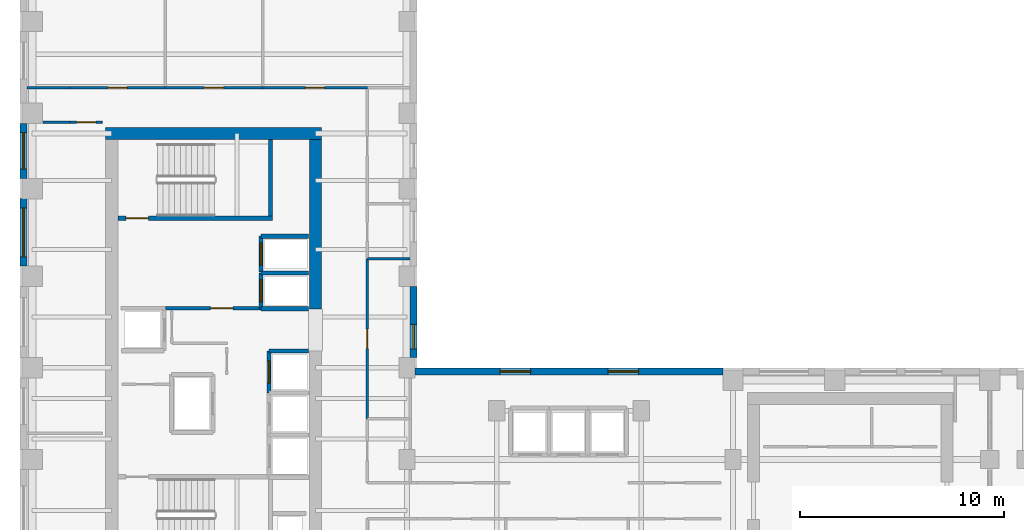
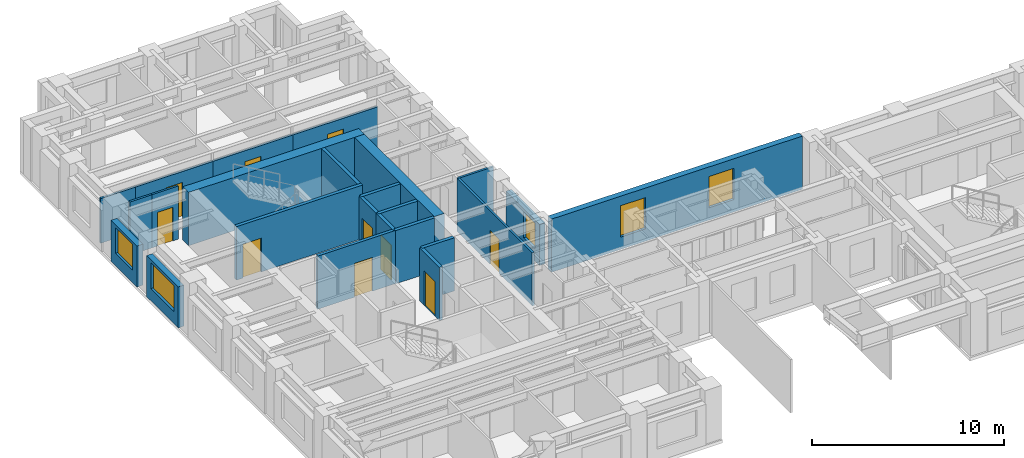
# One storey, part 8 of 13: 24 walls, 10 doors, 5 windows, 15 openings.
"""IFC4 building model written with IfcOpenShell, lengths in metres."""

from ifc_helpers import new_model, si_unit, direction, frame, frame_2d, origin, place, context, subcontext, project, spatial, rectangle, extrude, source, transform, mapped, material, layer, layer_set, type_object, element, fill, save


model = new_model("IFC4")

# Units and contexts
model_context = context("Model", 3, precision=1e-05, world=origin(), true_north=direction((0.0, 1.0)))
body_context = subcontext(model_context, "Body", "Model", "MODEL_VIEW")
ifc_project = project(units=[si_unit("LENGTHUNIT", "METRE"), si_unit("AREAUNIT", "SQUARE_METRE"), si_unit("VOLUMEUNIT", "CUBIC_METRE"), si_unit("PLANEANGLEUNIT", "RADIAN"), si_unit("MASSUNIT", "GRAM", prefix="KILO")], contexts=[model_context])

# Site, building, storey
site_placement = place(None, origin())
site = spatial("IfcSite", under=ifc_project, at=site_placement, CompositionType="ELEMENT")
building_placement = place(site_placement, origin())
building = spatial("IfcBuilding", under=site, at=building_placement, Name="Kharzan Plaza Tower", CompositionType="ELEMENT")
storey_placement = place(building_placement, frame((0.0, 0.0, 175.5)))
storey = spatial("IfcBuildingStorey", under=building, at=storey_placement, Name="L47", CompositionType="ELEMENT", Elevation=175.5)

# Wall, opening, window
ifc_material_1 = material(Name="Concrete C40/50", Category="concrete")
ifc_layer_1 = layer(ifc_material_1, 0.35009765625)
ifc_layer_set_1 = layer_set([ifc_layer_1], Name="Concrete C40/50")
wall_type_1 = type_object("IfcWallType", Name="WL-EXT-MAS-Z3", PredefinedType="SOLIDWALL", material=ifc_layer_set_1)
wall_1_placement = place(storey_placement, frame((0.175048828125, 30.001953125, 0.0), z_axis=(0.0, 0.0, 1.0), x_axis=(0.0, -1.0, 0.0)))
wall_1 = element("IfcWall", 1, at=wall_1_placement, inside=storey, type_object=wall_type_1, Name="L47 Masonry-Frame Exterior Wall 12", PredefinedType="SOLIDWALL", context=body_context, shape_type="SweptSolid", body=[
    extrude(rectangle(XDim=2.703857421875, YDim=0.35009765625, at=frame_2d((1.35205078125, 0.0))), origin(), (0.0, 0.0, 1.0), 2.612060546875),
])
opening_1_placement = place(wall_1_placement, frame((0.451904296875, 0.0, 0.780029296875)))
opening_1 = element("IfcOpeningElement", 2, at=opening_1_placement, cuts=wall_1, Name="Opening W1", PredefinedType="OPENING", context=body_context, shape_type="SweptSolid", body=[
    extrude(rectangle(XDim=1.800048828125, YDim=1.652099609375, at=frame_2d((0.89990234375, 0.826171875))), frame((0.0, 0.18505859375, 0.0), z_axis=(0.0, -1.0, 0.0), x_axis=(1.0, 0.0, 0.0)), (0.0, 0.0, 1.0), 0.3701171875),
])
ifc_material_2 = material(Name="Low-E Double Glazing", Category="glass")
window_type_1 = type_object("IfcWindowType", Name="WN-REC-1800x2100", PartitioningType="SINGLE_PANEL", PredefinedType="WINDOW", material=ifc_material_2)
shared_shape_1 = source(origin(), body_context, "Body", "SweptSolid", [
    extrude(rectangle(XDim=1.800048828125, YDim=1.652099609375, at=frame_2d((0.89990234375, 0.826171875))), frame((0.0, 0.030029296875, 0.0), z_axis=(0.0, -1.0, 0.0), x_axis=(1.0, 0.0, 0.0)), (0.0, 0.0, 1.0), 0.06005859375),
])
window_1_placement = place(opening_1_placement, origin())
window_1 = element("IfcWindow", 3, at=window_1_placement, inside=storey, type_object=window_type_1, Name="L47 Recessed Solar-Control Window 12-1", OverallHeight=1.652099609375, OverallWidth=1.800048828125, PartitioningType="SINGLE_PANEL", PredefinedType="WINDOW", context=body_context, shape_type="MappedRepresentation", body=[
    mapped(shared_shape_1, transform((0.0, 0.0, 0.0), x_axis=(1.0, 0.0, 0.0), y_axis=(0.0, 1.0, 0.0), z_axis=(0.0, 0.0, 1.0))),
])
fill(opening_1, window_1)

wall_2_placement = place(storey_placement, frame((0.175048828125, 26.302001953125, 0.0), z_axis=(0.0, 0.0, 1.0), x_axis=(0.0, -1.0, 0.0)))
wall_2 = element("IfcWall", 4, at=wall_2_placement, inside=storey, type_object=wall_type_1, Name="L47 Masonry-Frame Exterior Wall 13", PredefinedType="SOLIDWALL", context=body_context, shape_type="SweptSolid", body=[
    extrude(rectangle(XDim=3.303955078125, YDim=0.35009765625, at=frame_2d((1.65185546875, 0.0))), origin(), (0.0, 0.0, 1.0), 2.612060546875),
])
opening_2_placement = place(wall_2_placement, frame((0.451904296875, 0.0, 0.780029296875)))
opening_2 = element("IfcOpeningElement", 5, at=opening_2_placement, cuts=wall_2, Name="Opening W2", PredefinedType="OPENING", context=body_context, shape_type="SweptSolid", body=[
    extrude(rectangle(XDim=2.39990234375, YDim=1.652099609375, at=frame_2d((1.199951171875, 0.826171875))), frame((0.0, 0.18505859375, 0.0), z_axis=(0.0, -1.0, 0.0), x_axis=(1.0, 0.0, 0.0)), (0.0, 0.0, 1.0), 0.3701171875),
])
window_type_2 = type_object("IfcWindowType", Name="WN-REC-2400x2100", PartitioningType="SINGLE_PANEL", PredefinedType="WINDOW", material=ifc_material_2)
shared_shape_2 = source(origin(), body_context, "Body", "SweptSolid", [
    extrude(rectangle(XDim=2.39990234375, YDim=1.652099609375, at=frame_2d((1.199951171875, 0.826171875))), frame((0.0, 0.030029296875, 0.0), z_axis=(0.0, -1.0, 0.0), x_axis=(1.0, 0.0, 0.0)), (0.0, 0.0, 1.0), 0.06005859375),
])
window_2_placement = place(opening_2_placement, origin())
window_2 = element("IfcWindow", 6, at=window_2_placement, inside=storey, type_object=window_type_2, Name="L47 Wide Recessed Solar-Control Window 13-1", OverallHeight=1.652099609375, OverallWidth=2.39990234375, PartitioningType="SINGLE_PANEL", PredefinedType="WINDOW", context=body_context, shape_type="MappedRepresentation", body=[
    mapped(shared_shape_2, transform((0.0, 0.0, 0.0), x_axis=(1.0, 0.0, 0.0), y_axis=(0.0, 1.0, 0.0), z_axis=(0.0, 0.0, 1.0))),
])
fill(opening_2, window_2)

# Wall, openings, windows
wall_3_placement = place(storey_placement, frame((34.501953125, 17.824951171875, 0.0), z_axis=(0.0, 0.0, 1.0), x_axis=(-1.0, 0.0, 0.0)))
wall_3 = element("IfcWall", 7, at=wall_3_placement, inside=storey, type_object=wall_type_1, Name="L47 Masonry-Frame Exterior Wall 47", PredefinedType="SOLIDWALL", context=body_context, shape_type="SweptSolid", body=[
    extrude(rectangle(XDim=15.10400390625, YDim=0.35009765625, at=frame_2d((7.552001953125, 0.0))), origin(), (0.0, 0.0, 1.0), 3.385009765625),
])
opening_3_placement = place(wall_3_placement, frame((4.131103515625, 0.0, 0.780029296875)))
opening_3 = element("IfcOpeningElement", 8, at=opening_3_placement, cuts=wall_3, Name="Opening W5", PredefinedType="OPENING", context=body_context, shape_type="SweptSolid", body=[
    extrude(rectangle(XDim=1.5, YDim=2.0, at=frame_2d((0.75, 1.0))), frame((0.0, 0.18505859375, 0.0), z_axis=(0.0, -1.0, 0.0), x_axis=(1.0, 0.0, 0.0)), (0.0, 0.0, 1.0), 0.3701171875),
])
opening_4_placement = place(wall_3_placement, frame((9.4423828125, 0.0, 0.780029296875)))
opening_4 = element("IfcOpeningElement", 9, at=opening_4_placement, cuts=wall_3, Name="Opening W5", PredefinedType="OPENING", context=body_context, shape_type="SweptSolid", body=[
    extrude(rectangle(XDim=1.5, YDim=2.0, at=frame_2d((0.75, 1.0))), frame((0.0, 0.18505859375, 0.0), z_axis=(0.0, -1.0, 0.0), x_axis=(1.0, 0.0, 0.0)), (0.0, 0.0, 1.0), 0.3701171875),
])
window_type_3 = type_object("IfcWindowType", Name="WN-SLT-1500x2000", PartitioningType="SINGLE_PANEL", PredefinedType="WINDOW", material=ifc_material_2)
shared_shape_3 = source(origin(), body_context, "Body", "SweptSolid", [
    extrude(rectangle(XDim=1.5, YDim=2.0, at=frame_2d((0.75, 1.0))), frame((0.0, 0.030029296875, 0.0), z_axis=(0.0, -1.0, 0.0), x_axis=(1.0, 0.0, 0.0)), (0.0, 0.0, 1.0), 0.06005859375),
])
window_3_placement = place(opening_3_placement, origin())
window_3 = element("IfcWindow", 10, at=window_3_placement, inside=storey, type_object=window_type_3, Name="L47 Recessed Solar-Control Window 47-1", OverallHeight=2.0, OverallWidth=1.5, PartitioningType="SINGLE_PANEL", PredefinedType="WINDOW", context=body_context, shape_type="MappedRepresentation", body=[
    mapped(shared_shape_3, transform((0.0, 0.0, 0.0), x_axis=(1.0, 0.0, 0.0), y_axis=(0.0, 1.0, 0.0), z_axis=(0.0, 0.0, 1.0))),
])
fill(opening_3, window_3)
window_4_placement = place(opening_4_placement, origin())
window_4 = element("IfcWindow", 11, at=window_4_placement, inside=storey, type_object=window_type_3, Name="L47 Recessed Solar-Control Window 47-2", OverallHeight=2.0, OverallWidth=1.5, PartitioningType="SINGLE_PANEL", PredefinedType="WINDOW", context=body_context, shape_type="MappedRepresentation", body=[
    mapped(shared_shape_3, transform((0.0, 0.0, 0.0), x_axis=(1.0, 0.0, 0.0), y_axis=(0.0, 1.0, 0.0), z_axis=(0.0, 0.0, 1.0))),
])
fill(opening_4, window_4)

# Wall, opening, window
wall_4_placement = place(storey_placement, frame((19.324951171875, 18.498046875, 0.0), z_axis=(0.0, 0.0, 1.0), x_axis=(0.0, 1.0, 0.0)))
wall_4 = element("IfcWall", 12, at=wall_4_placement, inside=storey, type_object=wall_type_1, Name="L47 Masonry-Frame Exterior Wall 48", PredefinedType="SOLIDWALL", context=body_context, shape_type="SweptSolid", body=[
    extrude(rectangle(XDim=3.50390625, YDim=0.35009765625, at=frame_2d((1.751953125, 0.0))), origin(), (0.0, 0.0, 1.0), 2.612060546875),
])
opening_5_placement = place(wall_4_placement, frame((0.4326171875, 0.0, 0.780029296875)))
opening_5 = element("IfcOpeningElement", 13, at=opening_5_placement, cuts=wall_4, Name="Opening W3", PredefinedType="OPENING", context=body_context, shape_type="SweptSolid", body=[
    extrude(rectangle(XDim=1.199951171875, YDim=1.652099609375, at=frame_2d((0.60009765625, 0.826171875))), frame((0.0, 0.18505859375, 0.0), z_axis=(0.0, -1.0, 0.0), x_axis=(1.0, 0.0, 0.0)), (0.0, 0.0, 1.0), 0.3701171875),
])
window_type_4 = type_object("IfcWindowType", Name="WN-REC-1200x2100", PartitioningType="SINGLE_PANEL", PredefinedType="WINDOW", material=ifc_material_2)
shared_shape_4 = source(origin(), body_context, "Body", "SweptSolid", [
    extrude(rectangle(XDim=1.199951171875, YDim=1.652099609375, at=frame_2d((0.60009765625, 0.826171875))), frame((0.0, 0.030029296875, 0.0), z_axis=(0.0, -1.0, 0.0), x_axis=(1.0, 0.0, 0.0)), (0.0, 0.0, 1.0), 0.06005859375),
])
window_5_placement = place(opening_5_placement, origin())
window_5 = element("IfcWindow", 14, at=window_5_placement, inside=storey, type_object=window_type_4, Name="L47 Recessed Solar-Control Window 48-1", OverallHeight=1.652099609375, OverallWidth=1.199951171875, PartitioningType="SINGLE_PANEL", PredefinedType="WINDOW", context=body_context, shape_type="MappedRepresentation", body=[
    mapped(shared_shape_4, transform((0.0, 0.0, 0.0), x_axis=(1.0, 0.0, 0.0), y_axis=(0.0, 1.0, 0.0), z_axis=(0.0, 0.0, 1.0))),
])
fill(opening_5, window_5)

# Wall, opening, door
ifc_layer_2 = layer(ifc_material_1, 0.179931640625)
ifc_layer_set_2 = layer_set([ifc_layer_2], Name="Concrete C40/50")
wall_type_2 = type_object("IfcWallType", Name="WL-INT-FIRE-180", PredefinedType="PARTITIONING", material=ifc_layer_set_2)
wall_5_placement = place(storey_placement, frame((7.14990234375, 20.919921875, 0.0), z_axis=(0.0, 0.0, 1.0), x_axis=(1.0, 0.0, 0.0)))
wall_5 = element("IfcWall", 15, at=wall_5_placement, inside=storey, type_object=wall_type_2, Name="L47 Interior Partition CA-FF-S", PredefinedType="PARTITIONING", context=body_context, shape_type="SweptSolid", body=[
    extrude(rectangle(XDim=4.68017578125, YDim=0.179931640625, at=frame_2d((2.340087890625, 0.0))), origin(), (0.0, 0.0, 1.0), 3.385009765625),
])
opening_6_placement = place(wall_5_placement, frame((2.199951171875, 0.0, 0.0)))
opening_6 = element("IfcOpeningElement", 16, at=opening_6_placement, cuts=wall_5, Name="Opening FD1", PredefinedType="OPENING", context=body_context, shape_type="SweptSolid", body=[
    extrude(rectangle(XDim=1.10009765625, YDim=2.14990234375, at=frame_2d((0.550048828125, 1.074951171875))), frame((0.0, 0.099853515625, 0.0), z_axis=(0.0, -1.0, 0.0), x_axis=(1.0, 0.0, 0.0)), (0.0, 0.0, 1.0), 0.199951171875),
])
ifc_material_3 = material(Name="Fire-Rated Acoustic Vision-Panel Steel", Category="steel")
door_type_1 = type_object("IfcDoorType", Name="DR-FIRE-LOBBY", OperationType="NOTDEFINED", PredefinedType="DOOR", material=ifc_material_3)
shared_shape_5 = source(origin(), body_context, "Body", "SweptSolid", [
    extrude(rectangle(XDim=1.10009765625, YDim=2.14990234375, at=frame_2d((0.550048828125, 1.074951171875))), frame((0.0, 0.02490234375, 0.0), z_axis=(0.0, -1.0, 0.0), x_axis=(1.0, 0.0, 0.0)), (0.0, 0.0, 1.0), 0.050048828125),
])
door_1_placement = place(opening_6_placement, origin())
door_1 = element("IfcDoor", 17, at=door_1_placement, inside=storey, type_object=door_type_1, Name="L47 Firefighting Lobby Door", OperationType="SINGLE_SWING_RIGHT", OverallHeight=2.14990234375, OverallWidth=1.10009765625, PredefinedType="DOOR", context=body_context, shape_type="MappedRepresentation", body=[
    mapped(shared_shape_5, transform((0.0, 0.0, 0.0), x_axis=(1.0, 0.0, 0.0), y_axis=(0.0, 1.0, 0.0), z_axis=(0.0, 0.0, 1.0))),
])
fill(opening_6, door_1)

ifc_material_4 = material(Name="Fire-Rated Gypsum Board Partition", Category="gypsum")
ifc_layer_3 = layer(ifc_material_4, 0.125)
ifc_layer_set_3 = layer_set([ifc_layer_3], Name="Fire-Rated Gypsum Board Partition")
wall_type_3 = type_object("IfcWallType", Name="WL-INT-PART-125", PredefinedType="PARTITIONING", material=ifc_layer_set_3)
wall_6_placement = place(storey_placement, frame((17.050048828125, 15.5, 0.0), z_axis=(0.0, 0.0, 1.0), x_axis=(0.0, 1.0, 0.0)))
wall_6 = element("IfcWall", 18, at=wall_6_placement, inside=storey, type_object=wall_type_3, Name="L47 Interior Partition SH-AEWN2", PredefinedType="PARTITIONING", context=body_context, shape_type="SweptSolid", body=[
    extrude(rectangle(XDim=7.85009765625, YDim=0.125, at=frame_2d((3.925048828125, 0.0))), origin(), (0.0, 0.0, 1.0), 3.385009765625),
])
opening_7_placement = place(wall_6_placement, frame((3.449951171875, 0.0, 0.0)))
opening_7 = element("IfcOpeningElement", 19, at=opening_7_placement, cuts=wall_6, Name="Opening OD1", PredefinedType="OPENING", context=body_context, shape_type="SweptSolid", body=[
    extrude(rectangle(XDim=0.949951171875, YDim=2.14990234375, at=frame_2d((0.47509765625, 1.074951171875))), frame((0.0, 0.072509765625, 0.0), z_axis=(0.0, -1.0, 0.0), x_axis=(1.0, 0.0, 0.0)), (0.0, 0.0, 1.0), 0.14501953125),
])
ifc_material_5 = material(Name="Acoustic Solid-Core Stained Oak", Category="timber")
door_type_2 = type_object("IfcDoorType", Name="DR-OFF-SINGLE", OperationType="NOTDEFINED", PredefinedType="DOOR", material=ifc_material_5)
shared_shape_6 = source(origin(), body_context, "Body", "SweptSolid", [
    extrude(rectangle(XDim=0.949951171875, YDim=2.14990234375, at=frame_2d((0.47509765625, 1.074951171875))), frame((0.0, 0.02490234375, 0.0), z_axis=(0.0, -1.0, 0.0), x_axis=(1.0, 0.0, 0.0)), (0.0, 0.0, 1.0), 0.050048828125),
])
door_2_placement = place(opening_7_placement, origin())
door_2 = element("IfcDoor", 20, at=door_2_placement, inside=storey, type_object=door_type_2, Name="L47 Slot Studio Door", OperationType="SINGLE_SWING_RIGHT", OverallHeight=2.14990234375, OverallWidth=0.949951171875, PredefinedType="DOOR", context=body_context, shape_type="MappedRepresentation", body=[
    mapped(shared_shape_6, transform((0.0, 0.0, 0.0), x_axis=(1.0, 0.0, 0.0), y_axis=(0.0, 1.0, 0.0), z_axis=(0.0, 0.0, 1.0))),
])
fill(opening_7, door_2)

wall_7_placement = place(storey_placement, frame((2.449951171875, 31.75, 0.0), z_axis=(0.0, 0.0, 1.0), x_axis=(1.0, 0.0, 0.0)))
wall_7 = element("IfcWall", 21, at=wall_7_placement, inside=storey, type_object=wall_type_3, Name="L47 Interior Partition SH-NN-1", PredefinedType="PARTITIONING", context=body_context, shape_type="SweptSolid", body=[
    extrude(rectangle(XDim=4.671142578125, YDim=0.125, at=frame_2d((2.33544921875, 0.0))), origin(), (0.0, 0.0, 1.0), 2.847900390625),
])
opening_8_placement = place(wall_7_placement, frame((1.860595703125, 0.0, 0.0)))
opening_8 = element("IfcOpeningElement", 22, at=opening_8_placement, cuts=wall_7, Name="Opening OD1", PredefinedType="OPENING", context=body_context, shape_type="SweptSolid", body=[
    extrude(rectangle(XDim=0.949951171875, YDim=2.14990234375, at=frame_2d((0.47509765625, 1.074951171875))), frame((0.0, 0.072509765625, 0.0), z_axis=(0.0, -1.0, 0.0), x_axis=(1.0, 0.0, 0.0)), (0.0, 0.0, 1.0), 0.14501953125),
])
door_3_placement = place(opening_8_placement, origin())
door_3 = element("IfcDoor", 23, at=door_3_placement, inside=storey, type_object=door_type_2, Name="L47 Naval Engineering Studio Door", OperationType="SINGLE_SWING_LEFT", OverallHeight=2.14990234375, OverallWidth=0.949951171875, PredefinedType="DOOR", context=body_context, shape_type="MappedRepresentation", body=[
    mapped(shared_shape_6, transform((0.0, 0.0, 0.0), x_axis=(1.0, 0.0, 0.0), y_axis=(0.0, 1.0, 0.0), z_axis=(0.0, 0.0, 1.0))),
])
fill(opening_8, door_3)

wall_8_placement = place(storey_placement, frame((7.12109375, 31.75, 0.0), z_axis=(0.0, 0.0, 1.0), x_axis=(1.0, 0.0, 0.0)))
wall_8 = element("IfcWall", 24, at=wall_8_placement, inside=storey, type_object=wall_type_3, Name="L47 Interior Partition SH-NN-2", PredefinedType="PARTITIONING", context=body_context, shape_type="SweptSolid", body=[
    extrude(rectangle(XDim=4.794921875, YDim=0.125, at=frame_2d((2.3974609375, 0.0))), origin(), (0.0, 0.0, 1.0), 2.847900390625),
])
opening_9_placement = place(wall_8_placement, frame((1.922607421875, 0.0, 0.0)))
opening_9 = element("IfcOpeningElement", 25, at=opening_9_placement, cuts=wall_8, Name="Opening OD1", PredefinedType="OPENING", context=body_context, shape_type="SweptSolid", body=[
    extrude(rectangle(XDim=0.949951171875, YDim=2.14990234375, at=frame_2d((0.47509765625, 1.074951171875))), frame((0.0, 0.072509765625, 0.0), z_axis=(0.0, -1.0, 0.0), x_axis=(1.0, 0.0, 0.0)), (0.0, 0.0, 1.0), 0.14501953125),
])
door_4_placement = place(opening_9_placement, origin())
door_4 = element("IfcDoor", 26, at=door_4_placement, inside=storey, type_object=door_type_2, Name="L47 Cartography Drafting Studio Door", OperationType="SINGLE_SWING_RIGHT", OverallHeight=2.14990234375, OverallWidth=0.949951171875, PredefinedType="DOOR", context=body_context, shape_type="MappedRepresentation", body=[
    mapped(shared_shape_6, transform((0.0, 0.0, 0.0), x_axis=(1.0, 0.0, 0.0), y_axis=(0.0, 1.0, 0.0), z_axis=(0.0, 0.0, 1.0))),
])
fill(opening_9, door_4)

wall_9_placement = place(storey_placement, frame((11.916015625, 31.75, 0.0), z_axis=(0.0, 0.0, 1.0), x_axis=(1.0, 0.0, 0.0)))
wall_9 = element("IfcWall", 27, at=wall_9_placement, inside=storey, type_object=wall_type_3, Name="L47 Interior Partition SH-NN-3", PredefinedType="PARTITIONING", context=body_context, shape_type="SweptSolid", body=[
    extrude(rectangle(XDim=5.134033203125, YDim=0.125, at=frame_2d((2.56689453125, 0.0))), origin(), (0.0, 0.0, 1.0), 2.847900390625),
])
opening_10_placement = place(wall_9_placement, frame((2.092041015625, 0.0, 0.0)))
opening_10 = element("IfcOpeningElement", 28, at=opening_10_placement, cuts=wall_9, Name="Opening OD1", PredefinedType="OPENING", context=body_context, shape_type="SweptSolid", body=[
    extrude(rectangle(XDim=0.949951171875, YDim=2.14990234375, at=frame_2d((0.47509765625, 1.074951171875))), frame((0.0, 0.072509765625, 0.0), z_axis=(0.0, -1.0, 0.0), x_axis=(1.0, 0.0, 0.0)), (0.0, 0.0, 1.0), 0.14501953125),
])
door_5_placement = place(opening_10_placement, origin())
door_5 = element("IfcDoor", 29, at=door_5_placement, inside=storey, type_object=door_type_2, Name="L47 Project Controls Office Door", OperationType="SINGLE_SWING_LEFT", OverallHeight=2.14990234375, OverallWidth=0.949951171875, PredefinedType="DOOR", context=body_context, shape_type="MappedRepresentation", body=[
    mapped(shared_shape_6, transform((0.0, 0.0, 0.0), x_axis=(1.0, 0.0, 0.0), y_axis=(0.0, 1.0, 0.0), z_axis=(0.0, 0.0, 1.0))),
])
fill(opening_10, door_5)

wall_10_placement = place(storey_placement, frame((2.449951171875, 30.050048828125, 0.0), z_axis=(0.0, 0.0, 1.0), x_axis=(1.0, 0.0, 0.0)))
wall_10 = element("IfcWall", 30, at=wall_10_placement, inside=storey, type_object=wall_type_3, Name="L47 Interior Partition SH-RWND", PredefinedType="PARTITIONING", context=body_context, shape_type="SweptSolid", body=[
    extrude(rectangle(XDim=1.60009765625, YDim=0.125, at=frame_2d((0.800048828125, 0.0))), origin(), (0.0, 0.0, 1.0), 3.385009765625),
])
opening_11_placement = place(wall_10_placement, frame((0.324951171875, 0.0, 0.0)))
opening_11 = element("IfcOpeningElement", 31, at=opening_11_placement, cuts=wall_10, Name="Opening OD1", PredefinedType="OPENING", context=body_context, shape_type="SweptSolid", body=[
    extrude(rectangle(XDim=0.949951171875, YDim=2.14990234375, at=frame_2d((0.47509765625, 1.074951171875))), frame((0.0, 0.072509765625, 0.0), z_axis=(0.0, -1.0, 0.0), x_axis=(1.0, 0.0, 0.0)), (0.0, 0.0, 1.0), 0.14501953125),
])
door_6_placement = place(opening_11_placement, origin())
door_6 = element("IfcDoor", 32, at=door_6_placement, inside=storey, type_object=door_type_2, Name="L47 West Office 2 Door", OperationType="SINGLE_SWING_RIGHT", OverallHeight=2.14990234375, OverallWidth=0.949951171875, PredefinedType="DOOR", context=body_context, shape_type="MappedRepresentation", body=[
    mapped(shared_shape_6, transform((0.0, 0.0, 0.0), x_axis=(1.0, 0.0, 0.0), y_axis=(0.0, 1.0, 0.0), z_axis=(0.0, 0.0, 1.0))),
])
fill(opening_11, door_6)

ifc_layer_4 = layer(ifc_material_1, 0.199951171875)
ifc_layer_set_4 = layer_set([ifc_layer_4], Name="Concrete C40/50")
wall_type_4 = type_object("IfcWallType", Name="WL-INT-SHAFT-200", PredefinedType="PARTITIONING", material=ifc_layer_set_4)
wall_11_placement = place(storey_placement, frame((11.830078125, 20.89990234375, 0.0), z_axis=(0.0, 0.0, 1.0), x_axis=(0.0, 1.0, 0.0)))
wall_11 = element("IfcWall", 33, at=wall_11_placement, inside=storey, type_object=wall_type_4, Name="L47 Interior Partition SHF-FFL-1-W", PredefinedType="PARTITIONING", context=body_context, shape_type="SweptSolid", body=[
    extrude(rectangle(XDim=1.760009765625, YDim=0.199951171875, at=frame_2d((0.8798828125, 0.0))), origin(), (0.0, 0.0, 1.0), 3.385009765625),
])
opening_12_placement = place(wall_11_placement, frame((0.330078125, 0.0, 0.0)))
opening_12 = element("IfcOpeningElement", 34, at=opening_12_placement, cuts=wall_11, Name="Opening LD", PredefinedType="OPENING", context=body_context, shape_type="SweptSolid", body=[
    extrude(rectangle(XDim=1.10009765625, YDim=2.199951171875, at=frame_2d((0.550048828125, 1.10009765625))), frame((0.0, 0.10986328125, 0.0), z_axis=(0.0, -1.0, 0.0), x_axis=(1.0, 0.0, 0.0)), (0.0, 0.0, 1.0), 0.219970703125),
])
ifc_material_6 = material(Name="Brushed Stainless Steel", Category="steel")
door_type_3 = type_object("IfcDoorType", Name="DR-LIFT-SLIDE", OperationType="SLIDING_TO_LEFT", PredefinedType="DOOR", material=ifc_material_6)
shared_shape_7 = source(origin(), body_context, "Body", "SweptSolid", [
    extrude(rectangle(XDim=1.10009765625, YDim=2.199951171875, at=frame_2d((0.550048828125, 1.10009765625))), frame((0.0, 0.02490234375, 0.0), z_axis=(0.0, -1.0, 0.0), x_axis=(1.0, 0.0, 0.0)), (0.0, 0.0, 1.0), 0.050048828125),
])
door_7_placement = place(opening_12_placement, origin())
door_7 = element("IfcDoor", 35, at=door_7_placement, inside=storey, type_object=door_type_3, Name="L47 Firefighting Lift FFL-1 Sliding Landing Door", OperationType="SLIDING_TO_LEFT", OverallHeight=2.199951171875, OverallWidth=1.10009765625, PredefinedType="DOOR", context=body_context, shape_type="MappedRepresentation", body=[
    mapped(shared_shape_7, transform((0.0, 0.0, 0.0), x_axis=(1.0, 0.0, 0.0), y_axis=(0.0, 1.0, 0.0), z_axis=(0.0, 0.0, 1.0))),
])
fill(opening_12, door_7)

wall_12_placement = place(storey_placement, frame((11.830078125, 22.699951171875, 0.0), z_axis=(0.0, 0.0, 1.0), x_axis=(0.0, 1.0, 0.0)))
wall_12 = element("IfcWall", 36, at=wall_12_placement, inside=storey, type_object=wall_type_4, Name="L47 Interior Partition SHF-FFL-2-W", PredefinedType="PARTITIONING", context=body_context, shape_type="SweptSolid", body=[
    extrude(rectangle(XDim=1.760009765625, YDim=0.199951171875, at=frame_2d((0.8798828125, 0.0))), origin(), (0.0, 0.0, 1.0), 3.385009765625),
])
opening_13_placement = place(wall_12_placement, frame((0.330078125, 0.0, 0.0)))
opening_13 = element("IfcOpeningElement", 37, at=opening_13_placement, cuts=wall_12, Name="Opening LD", PredefinedType="OPENING", context=body_context, shape_type="SweptSolid", body=[
    extrude(rectangle(XDim=1.10009765625, YDim=2.199951171875, at=frame_2d((0.550048828125, 1.10009765625))), frame((0.0, 0.10986328125, 0.0), z_axis=(0.0, -1.0, 0.0), x_axis=(1.0, 0.0, 0.0)), (0.0, 0.0, 1.0), 0.219970703125),
])
door_8_placement = place(opening_13_placement, origin())
door_8 = element("IfcDoor", 38, at=door_8_placement, inside=storey, type_object=door_type_3, Name="L47 Firefighting Lift FFL-2 Sliding Landing Door", OperationType="SLIDING_TO_LEFT", OverallHeight=2.199951171875, OverallWidth=1.10009765625, PredefinedType="DOOR", context=body_context, shape_type="MappedRepresentation", body=[
    mapped(shared_shape_7, transform((0.0, 0.0, 0.0), x_axis=(1.0, 0.0, 0.0), y_axis=(0.0, 1.0, 0.0), z_axis=(0.0, 0.0, 1.0))),
])
fill(opening_13, door_8)

wall_13_placement = place(storey_placement, frame((12.22998046875, 16.77001953125, 0.0), z_axis=(0.0, 0.0, 1.0), x_axis=(0.0, 1.0, 0.0)))
wall_13 = element("IfcWall", 39, at=wall_13_placement, inside=storey, type_object=wall_type_4, Name="L47 Interior Partition SHF-PL-H3-W", PredefinedType="PARTITIONING", context=body_context, shape_type="SweptSolid", body=[
    extrude(rectangle(XDim=2.050048828125, YDim=0.199951171875, at=frame_2d((1.02490234375, 0.0))), origin(), (0.0, 0.0, 1.0), 3.385009765625),
])
opening_14_placement = place(wall_13_placement, frame((0.47509765625, 0.0, 0.0)))
opening_14 = element("IfcOpeningElement", 40, at=opening_14_placement, cuts=wall_13, Name="Opening LD", PredefinedType="OPENING", context=body_context, shape_type="SweptSolid", body=[
    extrude(rectangle(XDim=1.10009765625, YDim=2.199951171875, at=frame_2d((0.550048828125, 1.10009765625))), frame((0.0, 0.10986328125, 0.0), z_axis=(0.0, -1.0, 0.0), x_axis=(1.0, 0.0, 0.0)), (0.0, 0.0, 1.0), 0.219970703125),
])
door_9_placement = place(opening_14_placement, origin())
door_9 = element("IfcDoor", 41, at=door_9_placement, inside=storey, type_object=door_type_3, Name="L47 High-Rise Passenger Lift PL-H3 Sliding Landing Door", OperationType="SLIDING_TO_LEFT", OverallHeight=2.199951171875, OverallWidth=1.10009765625, PredefinedType="DOOR", context=body_context, shape_type="MappedRepresentation", body=[
    mapped(shared_shape_7, transform((0.0, 0.0, 0.0), x_axis=(1.0, 0.0, 0.0), y_axis=(0.0, 1.0, 0.0), z_axis=(0.0, 0.0, 1.0))),
])
fill(opening_14, door_9)

ifc_material_7 = material(Name="Concrete C50/60", Category="concrete")
ifc_layer_5 = layer(ifc_material_7, 0.199951171875)
ifc_layer_set_5 = layer_set([ifc_layer_5], Name="Concrete C50/60")
wall_type_5 = type_object("IfcWallType", Name="WL-SHAFT-RC200", PredefinedType="SHEAR", material=ifc_layer_set_5)
wall_14_placement = place(storey_placement, frame((4.802001953125, 25.344970703125, 0.0), z_axis=(0.0, 0.0, 1.0), x_axis=(1.0, 0.0, 0.0)))
wall_14 = element("IfcWall", 42, at=wall_14_placement, inside=storey, type_object=wall_type_5, Name="L47 Stair ST-2 South RC Shaft Wall", PredefinedType="SHEAR", context=body_context, shape_type="SweptSolid", body=[
    extrude(rectangle(XDim=7.60302734375, YDim=0.199951171875, at=frame_2d((3.801513671875, 0.0))), origin(), (0.0, 0.0, 1.0), 3.39990234375),
])
opening_15_placement = place(wall_14_placement, frame((0.39990234375, 0.0, 0.0)))
opening_15 = element("IfcOpeningElement", 43, at=opening_15_placement, cuts=wall_14, Name="Opening SD1", PredefinedType="OPENING", context=body_context, shape_type="SweptSolid", body=[
    extrude(rectangle(XDim=1.10009765625, YDim=2.14990234375, at=frame_2d((0.550048828125, 1.074951171875))), frame((0.0, 0.10986328125, 0.0), z_axis=(0.0, -1.0, 0.0), x_axis=(1.0, 0.0, 0.0)), (0.0, 0.0, 1.0), 0.219970703125),
])
ifc_material_8 = material(Name="Fire-Rated Hollow Galvanized Steel", Category="steel")
door_type_4 = type_object("IfcDoorType", Name="DR-STAIR-FD120", OperationType="NOTDEFINED", PredefinedType="DOOR", material=ifc_material_8)
shared_shape_8 = source(origin(), body_context, "Body", "SweptSolid", [
    extrude(rectangle(XDim=1.10009765625, YDim=2.14990234375, at=frame_2d((0.550048828125, 1.074951171875))), frame((0.0, 0.02490234375, 0.0), z_axis=(0.0, -1.0, 0.0), x_axis=(1.0, 0.0, 0.0)), (0.0, 0.0, 1.0), 0.050048828125),
])
door_10_placement = place(opening_15_placement, origin())
door_10 = element("IfcDoor", 44, at=door_10_placement, inside=storey, type_object=door_type_4, Name="L47 Stair ST-2 Fire Exit Door", OperationType="SINGLE_SWING_LEFT", OverallHeight=2.14990234375, OverallWidth=1.10009765625, PredefinedType="DOOR", context=body_context, shape_type="MappedRepresentation", body=[
    mapped(shared_shape_8, transform((0.0, 0.0, 0.0), x_axis=(1.0, 0.0, 0.0), y_axis=(0.0, 1.0, 0.0), z_axis=(0.0, 0.0, 1.0))),
])
fill(opening_15, door_10)

# Walls
ifc_layer_6 = layer(ifc_material_7, 0.60009765625)
ifc_layer_set_6 = layer_set([ifc_layer_6], Name="Concrete C50/60")
wall_type_6 = type_object("IfcWallType", Name="WL-CORE-600", PredefinedType="SHEAR", material=ifc_layer_set_6)
shared_shape_9 = source(origin(), body_context, "Body", "SweptSolid", [
    extrude(rectangle(XDim=8.320068359375, YDim=0.60009765625, at=frame_2d((4.16015625, 0.0))), origin(), (0.0, 0.0, 1.0), 3.39990234375),
])
wall_15_placement = place(storey_placement, frame((14.5, 20.8798828125, 0.0), z_axis=(0.0, 0.0, 1.0), x_axis=(0.0, 1.0, 0.0)))
element("IfcWall", 45, at=wall_15_placement, inside=storey, type_object=wall_type_6, Name="L47 CORE-A east shear pier 2", PredefinedType="SHEAR", context=body_context, shape_type="MappedRepresentation", body=[
    mapped(shared_shape_9, transform((0.0, 0.0, 0.0), x_axis=(1.0, 0.0, 0.0), y_axis=(0.0, 1.0, 0.0), z_axis=(0.0, 0.0, 1.0))),
])
shared_shape_10 = source(origin(), body_context, "Body", "SweptSolid", [
    extrude(rectangle(XDim=10.60009765625, YDim=0.60009765625, at=frame_2d((5.300048828125, 0.0))), origin(), (0.0, 0.0, 1.0), 3.39990234375),
])
wall_16_placement = place(storey_placement, frame((4.199951171875, 29.5, 0.0), z_axis=(0.0, 0.0, 1.0), x_axis=(1.0, 0.0, 0.0)))
element("IfcWall", 46, at=wall_16_placement, inside=storey, type_object=wall_type_6, Name="L47 CORE-A north RC shear wall", PredefinedType="SHEAR", context=body_context, shape_type="MappedRepresentation", body=[
    mapped(shared_shape_10, transform((0.0, 0.0, 0.0), x_axis=(1.0, 0.0, 0.0), y_axis=(0.0, 1.0, 0.0), z_axis=(0.0, 0.0, 1.0))),
])
shared_shape_11 = source(origin(), body_context, "Body", "SweptSolid", [
    extrude(rectangle(XDim=2.097900390625, YDim=0.125, at=frame_2d((1.048828125, 0.0))), origin(), (0.0, 0.0, 1.0), 3.385009765625),
])
wall_17_placement = place(storey_placement, frame((17.050048828125, 23.35009765625, 0.0), z_axis=(0.0, 0.0, 1.0), x_axis=(1.0, 0.0, 0.0)))
element("IfcWall", 47, at=wall_17_placement, inside=storey, type_object=wall_type_3, Name="L47 Interior Partition SH-AEH-233", PredefinedType="PARTITIONING", context=body_context, shape_type="MappedRepresentation", body=[
    mapped(shared_shape_11, transform((0.0, 0.0, 0.0), x_axis=(1.0, 0.0, 0.0), y_axis=(0.0, 1.0, 0.0), z_axis=(0.0, 0.0, 1.0))),
])
shared_shape_12 = source(origin(), body_context, "Body", "SweptSolid", [
    extrude(rectangle(XDim=2.097900390625, YDim=0.125, at=frame_2d((1.048828125, 0.0))), origin(), (0.0, 0.0, 1.0), 2.847900390625),
])
wall_18_placement = place(storey_placement, frame((0.35205078125, 31.75, 0.0), z_axis=(0.0, 0.0, 1.0), x_axis=(1.0, 0.0, 0.0)))
element("IfcWall", 48, at=wall_18_placement, inside=storey, type_object=wall_type_3, Name="L47 Interior Partition SH-NNW0", PredefinedType="PARTITIONING", context=body_context, shape_type="MappedRepresentation", body=[
    mapped(shared_shape_12, transform((0.0, 0.0, 0.0), x_axis=(1.0, 0.0, 0.0), y_axis=(0.0, 1.0, 0.0), z_axis=(0.0, 0.0, 1.0))),
])
shared_shape_13 = source(origin(), body_context, "Body", "SweptSolid", [
    extrude(rectangle(XDim=2.33984375, YDim=0.199951171875, at=frame_2d((1.169921875, 0.0))), origin(), (0.0, 0.0, 1.0), 3.385009765625),
])
for number, where, z_axis, x_axis, name in (
    (49, (11.830078125, 22.659912109375, 0.0), (0.0, 0.0, 1.0), (1.0, 0.0, 0.0), "L47 Interior Partition SHF-FFL-1-N"),
    (50, (11.830078125, 20.89990234375, 0.0), (0.0, 0.0, 1.0), (1.0, 0.0, 0.0), "L47 Interior Partition SHF-FFL-1-S"),
    (51, (11.830078125, 24.4599609375, 0.0), (0.0, 0.0, 1.0), (1.0, 0.0, 0.0), "L47 Interior Partition SHF-FFL-2-N"),
):
    element("IfcWall", number, at=place(storey_placement, frame(where, z_axis=z_axis, x_axis=x_axis)), inside=storey, type_object=wall_type_4, Name=name, PredefinedType="PARTITIONING", context=body_context, shape_type="MappedRepresentation", body=[
        mapped(shared_shape_13, transform((0.0, 0.0, 0.0), x_axis=(1.0, 0.0, 0.0), y_axis=(0.0, 1.0, 0.0), z_axis=(0.0, 0.0, 1.0))),
    ])
shared_shape_14 = source(origin(), body_context, "Body", "SweptSolid", [
    extrude(rectangle(XDim=1.93994140625, YDim=0.199951171875, at=frame_2d((0.969970703125, 0.0))), origin(), (0.0, 0.0, 1.0), 3.385009765625),
])
wall_19_placement = place(storey_placement, frame((12.22998046875, 18.820068359375, 0.0), z_axis=(0.0, 0.0, 1.0), x_axis=(1.0, 0.0, 0.0)))
element("IfcWall", 52, at=wall_19_placement, inside=storey, type_object=wall_type_4, Name="L47 Interior Partition SHF-PL-H3-N", PredefinedType="PARTITIONING", context=body_context, shape_type="MappedRepresentation", body=[
    mapped(shared_shape_14, transform((0.0, 0.0, 0.0), x_axis=(1.0, 0.0, 0.0), y_axis=(0.0, 1.0, 0.0), z_axis=(0.0, 0.0, 1.0))),
])
shared_shape_15 = source(origin(), body_context, "Body", "SweptSolid", [
    extrude(rectangle(XDim=3.7529296875, YDim=0.199951171875, at=frame_2d((1.87646484375, 0.0))), origin(), (0.0, 0.0, 1.0), 3.39990234375),
])
wall_20_placement = place(storey_placement, frame((12.304931640625, 25.445068359375, 0.0), z_axis=(0.0, 0.0, 1.0), x_axis=(0.0, 1.0, 0.0)))
element("IfcWall", 53, at=wall_20_placement, inside=storey, type_object=wall_type_5, Name="L47 Stair ST-2 East RC Shaft Wall", PredefinedType="SHEAR", context=body_context, shape_type="MappedRepresentation", body=[
    mapped(shared_shape_15, transform((0.0, 0.0, 0.0), x_axis=(1.0, 0.0, 0.0), y_axis=(0.0, 1.0, 0.0), z_axis=(0.0, 0.0, 1.0))),
])
shared_shape_16 = source(origin(), body_context, "Body", "SweptSolid", [
    extrude(rectangle(XDim=1.329833984375, YDim=0.125, at=frame_2d((0.6650390625, 0.0))), origin(), (0.0, 0.0, 1.0), 3.385009765625),
])
wall_21_placement = place(storey_placement, frame((1.1201171875, 30.050048828125, 0.0), z_axis=(0.0, 0.0, 1.0), x_axis=(1.0, 0.0, 0.0)))
element("IfcWall", 54, at=wall_21_placement, inside=storey, type_object=wall_type_3, Name="L47 Interior Partition SH-RWN0", PredefinedType="PARTITIONING", context=body_context, shape_type="MappedRepresentation", body=[
    mapped(shared_shape_16, transform((0.0, 0.0, 0.0), x_axis=(1.0, 0.0, 0.0), y_axis=(0.0, 1.0, 0.0), z_axis=(0.0, 0.0, 1.0))),
])

save(model, "model.ifc")
